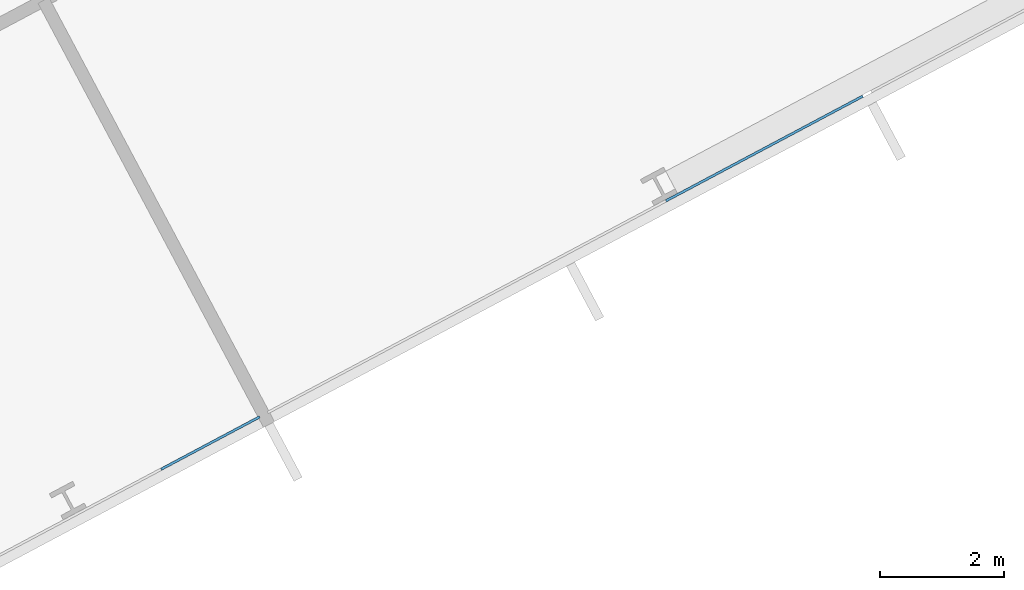
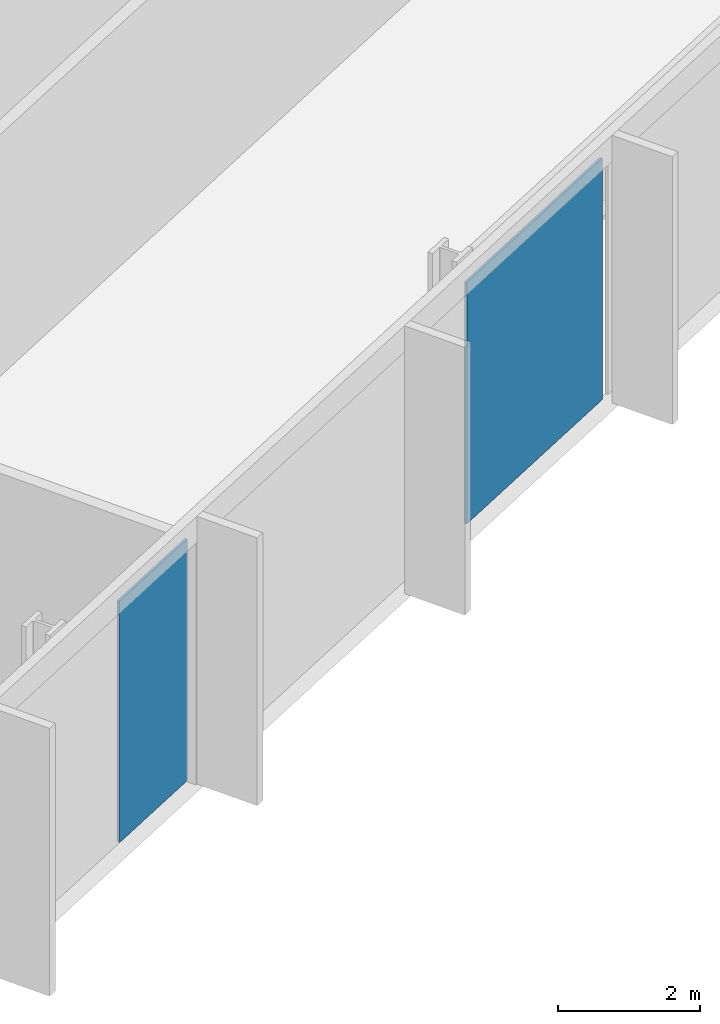
# One storey, part 11 of 31: 2 plates, 1 element without a shape of its own.
"""IFC4 building model written with IfcOpenShell, lengths in metres."""

import ifcopenshell
import ifcopenshell.guid

model = None  # the IFC model being written
_history = None  # IfcOwnerHistory: only IFC2X3 demands one
_inside = {}  # id of a spatial element -> (the spatial element, [elements in it])
_under = {}  # id of a project, library or spatial element -> (it, [spatial elements below it])
_declared = {}  # id of a project -> (the project, [libraries it declares])
_typed = {}  # id of a type object -> (the type object, [elements of that type])
_made_of = {}  # id of a material, layer set ... -> (it, [elements and type objects made of it])


def new_model(schema):
    """Start an empty IFC model of exactly this schema.

    Asked for "IFC4X3", IfcOpenShell would pick the latest addendum, in which some entities
    have other attributes; the version numbers below select the first issue.
    IFC2X3 requires an IfcOwnerHistory on every rooted entity: one is made here for all.
    """
    global model, _history
    if schema == "IFC4X3":
        model = ifcopenshell.file(schema_version=(4, 3, 0, 0))
    else:
        model = ifcopenshell.file(schema=schema)
    _inside.clear()
    _under.clear()
    _declared.clear()
    _typed.clear()
    _made_of.clear()
    _history = None
    if model.schema == "IFC2X3":
        org = make("IfcOrganization", Name="unknown")
        user = make(
            "IfcPersonAndOrganization",
            ThePerson=make("IfcPerson", FamilyName="unknown"),
            TheOrganization=org,
        )
        app = make(
            "IfcApplication",
            ApplicationDeveloper=org,
            Version="unknown",
            ApplicationFullName="unknown",
            ApplicationIdentifier="unknown",
        )
        _history = make(
            "IfcOwnerHistory",
            OwningUser=user,
            OwningApplication=app,
            ChangeAction="ADDED",
            CreationDate=0,
        )
    return model


def make(cls, **values):
    """One entity of the class cls with the attributes given. An attribute that is None is left unset."""
    return model.create_entity(
        cls, **{name: value for name, value in values.items() if value is not None}
    )


def rooted(cls, **values):
    """An entity with a GlobalId (a new one), such as an element, a storey or a relation."""
    return make(cls, GlobalId=ifcopenshell.guid.new(), OwnerHistory=_history, **values)


def si_unit(unit_type, name, prefix=None):
    """IfcSIUnit, for example si_unit("LENGTHUNIT", "METRE", prefix="MILLI")."""
    return make("IfcSIUnit", UnitType=unit_type, Prefix=prefix, Name=name)


def assignment(units):
    """IfcUnitAssignment: the units of a project."""
    return None if units is None else make("IfcUnitAssignment", Units=units)


def point(xyz):
    """IfcCartesianPoint."""
    return None if xyz is None else make("IfcCartesianPoint", Coordinates=xyz)


def direction(xyz):
    """IfcDirection."""
    return None if xyz is None else make("IfcDirection", DirectionRatios=xyz)


def frame(location, z_axis=None, x_axis=None):
    """IfcAxis2Placement3D, a coordinate frame: its origin and axes. An axis left out is left unset."""
    return make(
        "IfcAxis2Placement3D",
        Location=point(location),
        Axis=direction(z_axis),
        RefDirection=direction(x_axis),
    )


def frame_2d(location, x_axis=None):
    """IfcAxis2Placement2D, a coordinate frame in the plane: its origin and x axis."""
    return make(
        "IfcAxis2Placement2D", Location=point(location), RefDirection=direction(x_axis)
    )


def origin():
    """The frame at (0, 0, 0) with its axes left unset."""
    return frame((0.0, 0.0, 0.0))


def origin_2d():
    """The frame at (0, 0) in the plane with its x axis left unset."""
    return frame_2d((0.0, 0.0))


def place(relative_to, where):
    """IfcLocalPlacement: puts the frame where relative to a parent placement (None: the world)."""
    return make(
        "IfcLocalPlacement", PlacementRelTo=relative_to, RelativePlacement=where
    )


def context(
    kind, dimensions, precision=None, world=None, true_north=None, identifier=None
):
    """IfcGeometricRepresentationContext, for example the 3D "Model" context."""
    return make(
        "IfcGeometricRepresentationContext",
        ContextIdentifier=identifier,
        ContextType=kind,
        CoordinateSpaceDimension=dimensions,
        Precision=precision,
        WorldCoordinateSystem=world,
        TrueNorth=true_north,
    )


def subcontext(parent, identifier, kind, view, scale=None):
    """IfcGeometricRepresentationSubContext, for example "Body" below "Model"."""
    return make(
        "IfcGeometricRepresentationSubContext",
        ContextIdentifier=identifier,
        ContextType=kind,
        ParentContext=parent,
        TargetScale=scale,
        TargetView=view,
    )


def project(units=None, contexts=None):
    """IfcProject with its units and contexts."""
    return rooted(
        "IfcProject",
        Name="project",
        RepresentationContexts=contexts,
        UnitsInContext=assignment(units),
    )


def spatial(cls, under=None, at=None, **own):
    """A site, building, storey or space (cls), placed at a placement, below another one or the project."""
    s = rooted(cls, ObjectPlacement=at, **own)
    if under is not None:
        _under.setdefault(under.id(), (under, []))[1].append(s)
    return s


def profile(cls, at=None, kind="AREA", **sizes):
    """A parametric profile (cls). Its sizes go by their IFC names, for example OverallWidth=200.0."""
    return make(cls, ProfileType=kind, Position=at, **sizes)


def rectangle(**sizes):
    """IfcRectangleProfileDef."""
    return profile("IfcRectangleProfileDef", **sizes)


def extrude(swept, where, along, depth):
    """IfcExtrudedAreaSolid: the profile swept, set in the frame where, extruded along a direction by depth."""
    return make(
        "IfcExtrudedAreaSolid",
        SweptArea=swept,
        Position=where,
        ExtrudedDirection=direction(along),
        Depth=depth,
    )


def shape(context_of_items, identifier, shape_type, items):
    """IfcShapeRepresentation: the items that make up one representation, for example the "Body"."""
    return make(
        "IfcShapeRepresentation",
        ContextOfItems=context_of_items,
        RepresentationIdentifier=identifier,
        RepresentationType=shape_type,
        Items=items,
    )


def material(Name=None, Category=None):
    """IfcMaterial."""
    return make("IfcMaterial", Name=Name, Category=Category)


def layer(
    of_material, thickness, ventilated=None, Name=None, Category=None, Priority=None
):
    """IfcMaterialLayer: one layer of a wall or slab, of a material (None: an air gap)."""
    return make(
        "IfcMaterialLayer",
        Material=of_material,
        LayerThickness=thickness,
        IsVentilated=ventilated,
        Name=Name,
        Category=Category,
        Priority=Priority,
    )


def layer_set(layers, Name=None):
    """IfcMaterialLayerSet."""
    return make("IfcMaterialLayerSet", MaterialLayers=layers, LayerSetName=Name)


def made_of(thing, what):
    """Note that an element or type object is made of a material, layer set ...; save() writes the relation."""
    if what is not None:
        _made_of.setdefault(what.id(), (what, []))[1].append(thing)
    return thing


def type_object(cls, material=None, **own):
    """A type object (cls), such as IfcWallType, which elements share."""
    return made_of(rooted(cls, **own), material)


def element(
    cls,
    number,
    at=None,
    inside=None,
    cuts=None,
    type_object=None,
    material=None,
    context=None,
    identifier="Body",
    shape_type=None,
    held_by="IfcProductDefinitionShape",
    body=None,
    shapes=None,
    **own,
):
    """One element of the class cls, such as IfcWall. Its Tag is "e" and its number.

    at: its placement. inside: the storey or other place that contains it. cuts: it is an
    opening in that element (IfcRelVoidsElement). A single representation is given by context,
    identifier, shape_type and body (its items); several are given by shapes. held_by: the class
    of the entity that holds the representations. save() writes the other relations.
    """
    e = rooted(cls, Tag="e%d" % number, ObjectPlacement=at, **own)
    if body is not None:
        shapes = [shape(context, identifier, shape_type, body)]
    if shapes is not None:
        e.Representation = make(held_by, Representations=shapes)
    if inside is not None:
        _inside.setdefault(inside.id(), (inside, []))[1].append(e)
    if cuts is not None:
        rooted(
            "IfcRelVoidsElement", RelatingBuildingElement=cuts, RelatedOpeningElement=e
        )
    if type_object is not None:
        _typed.setdefault(type_object.id(), (type_object, []))[1].append(e)
    return made_of(e, material)


def aggregate(whole, parts):
    """IfcRelAggregates: a whole, such as a stair, and the parts it consists of."""
    return rooted("IfcRelAggregates", RelatingObject=whole, RelatedObjects=parts)


def save(model, path):
    """Write the relations noted so far, then the file.

    IfcRelAggregates (storeys below a building ...), IfcRelContainedInSpatialStructure (elements
    in a storey), IfcRelDefinesByType, IfcRelAssociatesMaterial and IfcRelDeclares: one each for
    every whole, place, type object, material and project.
    """
    for whole, parts in _under.values():
        aggregate(whole, parts)
    for where, things in _inside.values():
        rooted(
            "IfcRelContainedInSpatialStructure",
            RelatedElements=things,
            RelatingStructure=where,
        )
    for kind, things in _typed.values():
        rooted("IfcRelDefinesByType", RelatedObjects=things, RelatingType=kind)
    for what, things in _made_of.values():
        rooted("IfcRelAssociatesMaterial", RelatedObjects=things, RelatingMaterial=what)
    for by, libraries in _declared.values():
        rooted("IfcRelDeclares", RelatingContext=by, RelatedDefinitions=libraries)
    model.write(path)


model = new_model("IFC4")

# Units and contexts
model_context = context("Model", 3, precision=1e-05, world=origin(), true_north=direction((0.0, 1.0)))
body_context = subcontext(model_context, "Body", "Model", "MODEL_VIEW")
ifc_project = project(units=[si_unit("LENGTHUNIT", "METRE"), si_unit("AREAUNIT", "SQUARE_METRE"), si_unit("VOLUMEUNIT", "CUBIC_METRE"), si_unit("PLANEANGLEUNIT", "RADIAN"), si_unit("MASSUNIT", "GRAM", prefix="KILO")], contexts=[model_context])

# Site, building, storey
site_placement = place(None, origin())
site = spatial("IfcSite", under=ifc_project, at=site_placement, CompositionType="ELEMENT")
building_placement = place(site_placement, origin())
building = spatial("IfcBuilding", under=site, at=building_placement, Name="Cormorant Relay Tower", CompositionType="ELEMENT")
storey_placement = place(building_placement, frame((0.0, 0.0, 107.60009765625)))
storey = spatial("IfcBuildingStorey", under=building, at=storey_placement, Name="L21", CompositionType="ELEMENT", Elevation=107.60009765625)

# Curtain wall, plates
ifc_material_1 = material(Name="Aluminium 6063-T6 anodised bronze", Category="aluminium")
ifc_layer_1 = layer(ifc_material_1, 0.199951171875)
ifc_layer_set_1 = layer_set([ifc_layer_1], Name="CW1 unitised bronze curtain wall with vertical fins")
curtain_wall_type = type_object("IfcCurtainWallType", Name="CW1 unitised bronze curtain wall with vertical fins", PredefinedType="NOTDEFINED", material=ifc_layer_set_1)
curtain_wall_placement = place(storey_placement, origin())
curtain_wall = element("IfcCurtainWall", 1, at=curtain_wall_placement, inside=storey, type_object=curtain_wall_type, Name="CW1 curtain wall 2", PredefinedType="NOTDEFINED")
ifc_material_2 = material(Name="Tinted laminated glass", Category="glass")
ifc_layer_2 = layer(ifc_material_2, 0.0400390625)
ifc_layer_set_2 = layer_set([ifc_layer_2], Name="CW1 tinted vision panel 1800 module")
plate_type_1 = type_object("IfcPlateType", Name="CW1 tinted vision panel 1800 module", PredefinedType="CURTAIN_PANEL", material=ifc_layer_set_2)
plate_1_placement = place(storey_placement, frame((45.597412109375, 0.43798828125, 0.0), z_axis=(0.0, 0.0, 1.0), x_axis=(0.882947592859, 0.469471562786, 0.0)))
plate_1 = element("IfcPlate", 2, at=plate_1_placement, type_object=plate_type_1, Name="CW1 panel V08", PredefinedType="CURTAIN_PANEL", context=body_context, shape_type="SweptSolid", body=[
    extrude(rectangle(XDim=1.800048828125, YDim=0.0400390625, at=origin_2d()), origin(), (0.0, 0.0, 1.0), 4.14990234375),
])
ifc_material_3 = material(Name="Tinted laminated glass", Category="glass")
ifc_layer_3 = layer(ifc_material_3, 0.0400390625)
ifc_layer_set_3 = layer_set([ifc_layer_3], Name="CW1 tinted vision panel 3600 module")
plate_type_2 = type_object("IfcPlateType", Name="CW1 tinted vision panel 3600 module", PredefinedType="CURTAIN_PANEL", material=ifc_layer_set_3)
plate_2_placement = place(storey_placement, frame((54.5361328125, 5.190673828125, 0.0), z_axis=(0.0, 0.0, 1.0), x_axis=(0.882947592859, 0.469471562786, 0.0)))
plate_2 = element("IfcPlate", 3, at=plate_2_placement, type_object=plate_type_2, Name="CW1 panel V10", PredefinedType="CURTAIN_PANEL", context=body_context, shape_type="SweptSolid", body=[
    extrude(rectangle(XDim=3.60009765625, YDim=0.0400390625, at=origin_2d()), origin(), (0.0, 0.0, 1.0), 4.14990234375),
])
aggregate(curtain_wall, [plate_1, plate_2])

save(model, "model.ifc")
